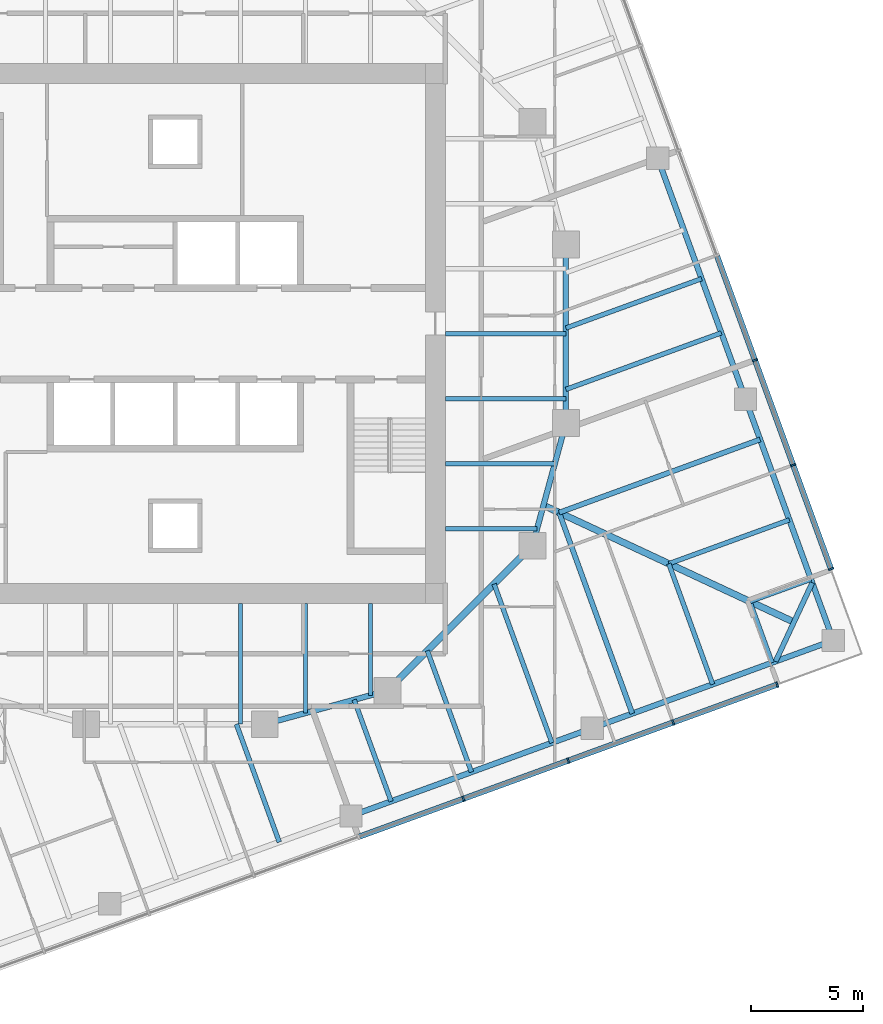
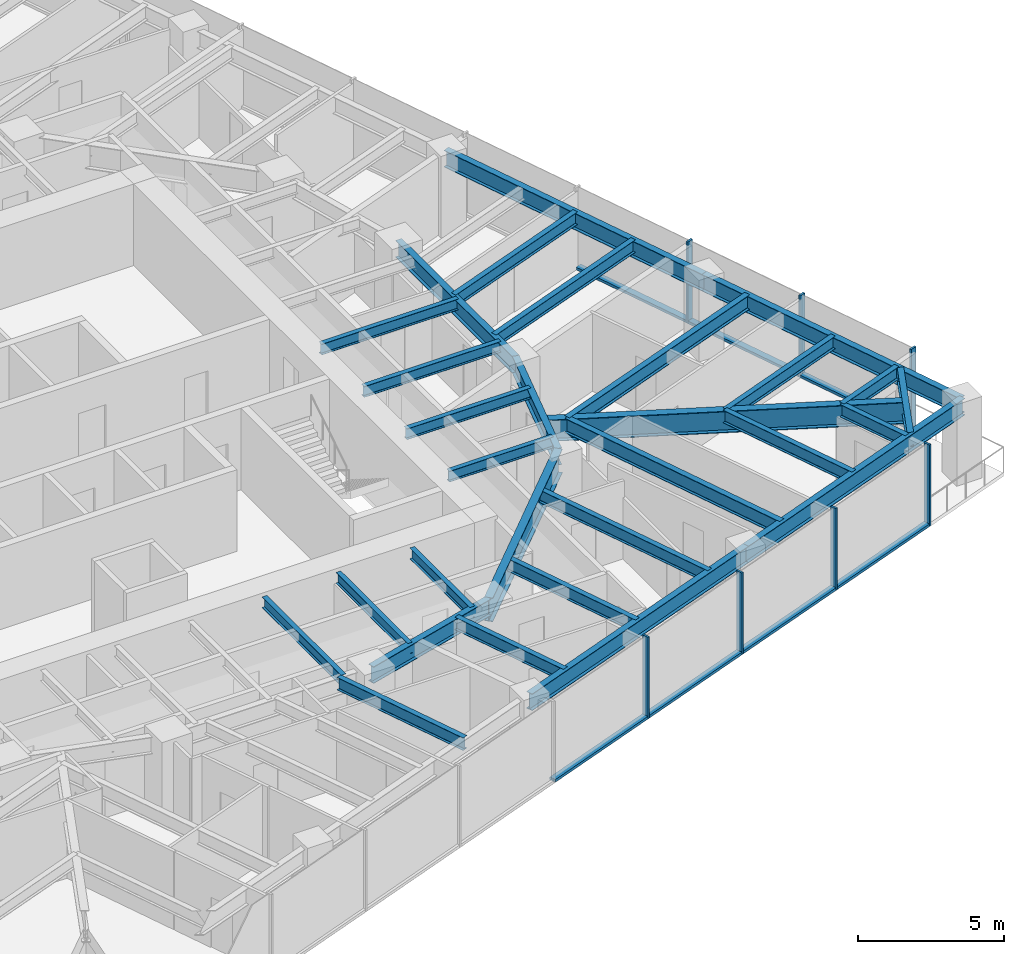
# One storey, part 3 of 13: 29 beams, 14 members, 2 elements without a shape of their own.
"""IFC4 building model written with IfcOpenShell, lengths in metres."""

from ifc_helpers import new_model, si_unit, direction, frame, origin, origin_2d, place, context, subcontext, project, spatial, rectangle, i_section, extrude, material, material_profile, profile_set, type_object, element, aggregate, save


model = new_model("IFC4")

# Units and contexts
model_context = context("Model", 3, precision=1e-05, world=origin(), true_north=direction((0.0, 1.0)))
body_context = subcontext(model_context, "Body", "Model", "MODEL_VIEW")
ifc_project = project(units=[si_unit("LENGTHUNIT", "METRE"), si_unit("AREAUNIT", "SQUARE_METRE"), si_unit("VOLUMEUNIT", "CUBIC_METRE"), si_unit("PLANEANGLEUNIT", "RADIAN"), si_unit("MASSUNIT", "GRAM", prefix="KILO")], contexts=[model_context])

# Site, building, storey
site_placement = place(None, origin())
site = spatial("IfcSite", under=ifc_project, at=site_placement, CompositionType="ELEMENT")
building_placement = place(site_placement, origin())
building = spatial("IfcBuilding", under=site, at=building_placement, Name="Torsade Residences", CompositionType="ELEMENT")
storey_placement = place(building_placement, frame((0.0, 0.0, 150.60009765625)))
storey = spatial("IfcBuildingStorey", under=building, at=storey_placement, Name="L41", CompositionType="ELEMENT", Elevation=150.60009765625)

# Beams
ifc_material_1 = material(Name="Steel grade 300", Category="steel")
ifc_material_profile_1 = material_profile(ifc_material_1, i_section(OverallWidth=0.300048828125, OverallDepth=0.89990234375, WebThickness=0.011962890625, FlangeThickness=0.02490234375, at=origin_2d()), Name="900WB175")
ifc_profile_set_1 = profile_set([ifc_material_profile_1], Name="Steel grade 300")
beam_type_1 = type_object("IfcBeamType", Name="CORNER GIRDER 900WB175", PredefinedType="BEAM", material=ifc_profile_set_1)
beam_1_placement = place(storey_placement, frame((67.717041015625, 17.075439453125, 2.7998046875), z_axis=(-0.906308509373, 0.422616712682, 0.0), x_axis=(-0.422616712682, -0.906308509373, 0.0)))
element("IfcBeam", 1, at=beam_1_placement, inside=storey, type_object=beam_type_1, Name="Corner girder 05 L42", PredefinedType="BEAM", context=body_context, shape_type="SweptSolid", body=[
    extrude(i_section(OverallWidth=0.300048828125, OverallDepth=0.89990234375, WebThickness=0.011962890625, FlangeThickness=0.02490234375, at=origin_2d()), origin(), (0.0, 0.0, 1.0), 12.3837890625),
])
ifc_material_2 = material(Name="Steel grade 300", Category="steel")
ifc_material_profile_2 = material_profile(ifc_material_2, i_section(OverallWidth=0.22802734375, OverallDepth=0.60205078125, WebThickness=0.010498046875, FlangeThickness=0.014892578125, FilletRadius=0.013916015625, at=origin_2d()), Name="610UB101")
ifc_profile_set_2 = profile_set([ifc_material_profile_2], Name="Steel grade 300")
beam_type_2 = type_object("IfcBeamType", Name="CORNER TRIMMER 610UB101", PredefinedType="BEAM", material=ifc_profile_set_2)
beam_2_placement = place(storey_placement, frame((68.538818359375, 18.837646484375, 2.948974609375), z_axis=(-0.422613947806, -0.906309798645, 0.0), x_axis=(0.906309798645, -0.422613947806, 0.0)))
element("IfcBeam", 2, at=beam_2_placement, inside=storey, type_object=beam_type_2, Name="Corner trimmer 05 L42", PredefinedType="BEAM", context=body_context, shape_type="SweptSolid", body=[
    extrude(i_section(OverallWidth=0.22802734375, OverallDepth=0.60205078125, WebThickness=0.010498046875, FlangeThickness=0.014892578125, FilletRadius=0.013916015625, at=origin_2d()), origin(), (0.0, 0.0, 1.0), 3.888916015625),
])
ifc_material_3 = material(Name="Steel grade 300", Category="steel")
ifc_material_profile_3 = material_profile(ifc_material_3, i_section(OverallWidth=0.25, OverallDepth=0.699951171875, WebThickness=0.010009765625, FlangeThickness=0.02001953125, at=origin_2d()), Name="700WB130")
ifc_profile_set_3 = profile_set([ifc_material_profile_3], Name="Steel grade 300")
beam_type_3 = type_object("IfcBeamType", Name="EDGE BEAM 700WB130", PredefinedType="SPANDREL", material=ifc_profile_set_3)
for number, where, z_axis, x_axis, name in (
    (3, (47.866455078125, 8.386962890625, 2.89990234375), (0.939688625666, 0.342031119628, 0.0), (-0.342031119628, 0.939688625666, 0.0), "Edge beam 03 L42"),
    (4, (58.6728515625, 12.3203125, 2.89990234375), (0.939697932031, 0.342005550448, 0.0), (-0.342005550448, 0.939697932031, 0.0), "Edge beam 04 L42"),
):
    element("IfcBeam", number, at=place(storey_placement, frame(where, z_axis=z_axis, x_axis=x_axis)), inside=storey, type_object=beam_type_3, Name=name, PredefinedType="SPANDREL", context=body_context, shape_type="SweptSolid", body=[
        extrude(i_section(OverallWidth=0.25, OverallDepth=0.699951171875, WebThickness=0.010009765625, FlangeThickness=0.02001953125, at=origin_2d()), origin(), (0.0, 0.0, 1.0), 11.5),
    ])
beam_3_placement = place(storey_placement, frame((69.4794921875, 16.25341796875, 2.89990234375), z_axis=(-0.342024296483, 0.93969110915, 0.0), x_axis=(-0.93969110915, -0.342024296483, 0.0)))
element("IfcBeam", 5, at=beam_3_placement, inside=storey, type_object=beam_type_3, Name="Edge beam 05 L42", PredefinedType="SPANDREL", context=body_context, shape_type="SweptSolid", body=[
    extrude(i_section(OverallWidth=0.25, OverallDepth=0.699951171875, WebThickness=0.010009765625, FlangeThickness=0.02001953125, at=origin_2d()), origin(), (0.0, 0.0, 1.0), 11.500244140625),
])
beam_4_placement = place(storey_placement, frame((65.546142578125, 27.06005859375, 2.89990234375), z_axis=(-0.342012373318, 0.939695448801, 0.0), x_axis=(-0.939695448801, -0.342012373318, 0.0)))
element("IfcBeam", 6, at=beam_4_placement, inside=storey, type_object=beam_type_3, Name="Edge beam 06 L42", PredefinedType="SPANDREL", context=body_context, shape_type="SweptSolid", body=[
    extrude(i_section(OverallWidth=0.25, OverallDepth=0.699951171875, WebThickness=0.010009765625, FlangeThickness=0.02001953125, at=origin_2d()), origin(), (0.0, 0.0, 1.0), 11.5),
])
ifc_material_4 = material(Name="Steel grade 300", Category="steel")
ifc_material_profile_4 = material_profile(ifc_material_4, i_section(OverallWidth=0.18994140625, OverallDepth=0.4541015625, WebThickness=0.008544921875, FlangeThickness=0.0126953125, FilletRadius=0.011474609375, at=origin_2d()), Name="460UB67.1")
ifc_profile_set_4 = profile_set([ifc_material_profile_4], Name="Steel grade 300")
beam_type_4 = type_object("IfcBeamType", Name="INNER FLOOR BEAM 460UB67.1", PredefinedType="JOIST", material=ifc_profile_set_4)
beam_5_placement = place(storey_placement, frame((48.737548828125, 17.89990234375, 3.02294921875), z_axis=(0.0, -1.0, 0.0), x_axis=(1.0, 0.0, 0.0)))
element("IfcBeam", 7, at=beam_5_placement, inside=storey, type_object=beam_type_4, Name="Inner floor beam IS01 L42", PredefinedType="JOIST", context=body_context, shape_type="SweptSolid", body=[
    extrude(i_section(OverallWidth=0.18994140625, OverallDepth=0.4541015625, WebThickness=0.008544921875, FlangeThickness=0.0126953125, FilletRadius=0.011474609375, at=origin_2d()), origin(), (0.0, 0.0, 1.0), 4.10791015625),
])
beam_6_placement = place(storey_placement, frame((45.824951171875, 17.89990234375, 3.02294921875), z_axis=(0.0, -1.0, 0.0), x_axis=(1.0, 0.0, 0.0)))
element("IfcBeam", 8, at=beam_6_placement, inside=storey, type_object=beam_type_4, Name="Inner floor beam IS02 L42", PredefinedType="JOIST", context=body_context, shape_type="SweptSolid", body=[
    extrude(i_section(OverallWidth=0.18994140625, OverallDepth=0.4541015625, WebThickness=0.008544921875, FlangeThickness=0.0126953125, FilletRadius=0.011474609375, at=origin_2d()), origin(), (0.0, 0.0, 1.0), 4.902099609375),
])
beam_7_placement = place(storey_placement, frame((42.91259765625, 17.89990234375, 3.02294921875), z_axis=(0.0, -1.0, 0.0), x_axis=(1.0, 0.0, 0.0)))
element("IfcBeam", 9, at=beam_7_placement, inside=storey, type_object=beam_type_4, Name="Inner floor beam IS03 L42", PredefinedType="JOIST", context=body_context, shape_type="SweptSolid", body=[
    extrude(i_section(OverallWidth=0.18994140625, OverallDepth=0.4541015625, WebThickness=0.008544921875, FlangeThickness=0.0126953125, FilletRadius=0.011474609375, at=origin_2d()), origin(), (0.0, 0.0, 1.0), 5.39990234375),
])
beam_8_placement = place(storey_placement, frame((52.10009765625, 21.262451171875, 3.02294921875), z_axis=(1.0, 0.0, 0.0), x_axis=(0.0, 1.0, 0.0)))
element("IfcBeam", 10, at=beam_8_placement, inside=storey, type_object=beam_type_4, Name="Inner floor beam IE01 L42", PredefinedType="JOIST", context=body_context, shape_type="SweptSolid", body=[
    extrude(i_section(OverallWidth=0.18994140625, OverallDepth=0.4541015625, WebThickness=0.008544921875, FlangeThickness=0.0126953125, FilletRadius=0.011474609375, at=origin_2d()), origin(), (0.0, 0.0, 1.0), 4.10791015625),
])
beam_9_placement = place(storey_placement, frame((52.10009765625, 24.175048828125, 3.02294921875), z_axis=(1.0, 0.0, 0.0), x_axis=(0.0, 1.0, 0.0)))
element("IfcBeam", 11, at=beam_9_placement, inside=storey, type_object=beam_type_4, Name="Inner floor beam IE02 L42", PredefinedType="JOIST", context=body_context, shape_type="SweptSolid", body=[
    extrude(i_section(OverallWidth=0.18994140625, OverallDepth=0.4541015625, WebThickness=0.008544921875, FlangeThickness=0.0126953125, FilletRadius=0.011474609375, at=origin_2d()), origin(), (0.0, 0.0, 1.0), 4.902099609375),
])
for number, where, z_axis, x_axis, name in (
    (12, (52.10009765625, 27.08740234375, 3.02294921875), (1.0, 0.0, 0.0), (0.0, 1.0, 0.0), "Inner floor beam IE03 L42"),
    (13, (52.10009765625, 30.0, 3.02294921875), (1.0, 0.0, 0.0), (0.0, 1.0, 0.0), "Inner floor beam IE04 L42"),
):
    element("IfcBeam", number, at=place(storey_placement, frame(where, z_axis=z_axis, x_axis=x_axis)), inside=storey, type_object=beam_type_4, Name=name, PredefinedType="JOIST", context=body_context, shape_type="SweptSolid", body=[
        extrude(i_section(OverallWidth=0.18994140625, OverallDepth=0.4541015625, WebThickness=0.008544921875, FlangeThickness=0.0126953125, FilletRadius=0.011474609375, at=origin_2d()), origin(), (0.0, 0.0, 1.0), 5.39990234375),
    ])

# Curtain wall, members
ifc_material_5 = material(Name="Aluminium and glass", Category="aluminium")
curtain_wall_type = type_object("IfcCurtainWallType", Name="FRITTED GLASS CURTAIN WALL MID ZONE", PredefinedType="NOTDEFINED", material=ifc_material_5)
curtain_wall_1_placement = place(storey_placement, origin())
curtain_wall_1 = element("IfcCurtainWall", 14, at=curtain_wall_1_placement, inside=storey, type_object=curtain_wall_type, Name="Curtain wall L41 face 1", PredefinedType="NOTDEFINED")
ifc_material_6 = material(Name="Aluminium mullion", Category="aluminium")
ifc_material_profile_5 = material_profile(ifc_material_6, rectangle(XDim=0.25, YDim=0.080078125, at=origin_2d()), Name="MID ZONE CURTAIN WALL MULLION 250x80")
ifc_profile_set_5 = profile_set([ifc_material_profile_5], Name="Aluminium mullion")
member_type_1 = type_object("IfcMemberType", Name="MID ZONE CURTAIN WALL MULLION 250x80", PredefinedType="MULLION", material=ifc_profile_set_5)
member_1_placement = place(storey_placement, frame((52.906982421875, 9.157470703125, 0.0), z_axis=(0.0, 0.0, 1.0), x_axis=(-0.342020147869, 0.939692619132, 0.0)))
member_1 = element("IfcMember", 15, at=member_1_placement, type_object=member_type_1, Name="Mullion 6", PredefinedType="MULLION", context=body_context, shape_type="SweptSolid", body=[
    extrude(rectangle(XDim=0.25, YDim=0.080078125, at=origin_2d()), origin(), (0.0, 0.0, 1.0), 3.39990234375),
])
member_2_placement = place(storey_placement, frame((57.60546875, 10.86767578125, 0.0), z_axis=(0.0, 0.0, 1.0), x_axis=(-0.342020147869, 0.939692619132, 0.0)))
member_2 = element("IfcMember", 16, at=member_2_placement, type_object=member_type_1, Name="Mullion 7", PredefinedType="MULLION", context=body_context, shape_type="SweptSolid", body=[
    extrude(rectangle(XDim=0.25, YDim=0.080078125, at=origin_2d()), origin(), (0.0, 0.0, 1.0), 3.39990234375),
])
member_3_placement = place(storey_placement, frame((62.303955078125, 12.57763671875, 0.0), z_axis=(0.0, 0.0, 1.0), x_axis=(-0.342020147869, 0.939692619132, 0.0)))
member_3 = element("IfcMember", 17, at=member_3_placement, type_object=member_type_1, Name="Mullion 8", PredefinedType="MULLION", context=body_context, shape_type="SweptSolid", body=[
    extrude(rectangle(XDim=0.25, YDim=0.080078125, at=origin_2d()), origin(), (0.0, 0.0, 1.0), 3.39990234375),
])
member_4_placement = place(storey_placement, frame((66.96484375, 14.274169921875, 0.0), z_axis=(0.0, 0.0, 1.0), x_axis=(-0.342020147869, 0.939692619132, 0.0)))
member_4 = element("IfcMember", 18, at=member_4_placement, type_object=member_type_1, Name="Mullion 9", PredefinedType="MULLION", context=body_context, shape_type="SweptSolid", body=[
    extrude(rectangle(XDim=0.25, YDim=0.080078125, at=origin_2d()), origin(), (0.0, 0.0, 1.0), 3.39990234375),
])

curtain_wall_2_placement = place(storey_placement, origin())
curtain_wall_2 = element("IfcCurtainWall", 19, at=curtain_wall_2_placement, inside=storey, type_object=curtain_wall_type, Name="Curtain wall L41 face 4", PredefinedType="NOTDEFINED")
member_5_placement = place(storey_placement, frame((69.37939453125, 19.4521484375, 0.0), z_axis=(0.0, 0.0, 1.0), x_axis=(-0.939692619132, -0.342020147869, 0.0)))
member_5 = element("IfcMember", 20, at=member_5_placement, type_object=member_type_1, Name="Mullion 1", PredefinedType="MULLION", context=body_context, shape_type="SweptSolid", body=[
    extrude(rectangle(XDim=0.25, YDim=0.080078125, at=origin_2d()), origin(), (0.0, 0.0, 1.0), 3.39990234375),
])
member_6_placement = place(storey_placement, frame((67.682861328125, 24.113037109375, 0.0), z_axis=(0.0, 0.0, 1.0), x_axis=(-0.939692619132, -0.342020147869, 0.0)))
member_6 = element("IfcMember", 21, at=member_6_placement, type_object=member_type_1, Name="Mullion 2", PredefinedType="MULLION", context=body_context, shape_type="SweptSolid", body=[
    extrude(rectangle(XDim=0.25, YDim=0.080078125, at=origin_2d()), origin(), (0.0, 0.0, 1.0), 3.39990234375),
])
member_7_placement = place(storey_placement, frame((65.972900390625, 28.8115234375, 0.0), z_axis=(0.0, 0.0, 1.0), x_axis=(-0.939692619132, -0.342020147869, 0.0)))
member_7 = element("IfcMember", 22, at=member_7_placement, type_object=member_type_1, Name="Mullion 3", PredefinedType="MULLION", context=body_context, shape_type="SweptSolid", body=[
    extrude(rectangle(XDim=0.25, YDim=0.080078125, at=origin_2d()), origin(), (0.0, 0.0, 1.0), 3.39990234375),
])

# Member
ifc_material_7 = material(Name="Aluminium transom", Category="aluminium")
ifc_material_profile_6 = material_profile(ifc_material_7, rectangle(XDim=0.25, YDim=0.110107421875, at=origin_2d()), Name="MID ZONE CURTAIN WALL TRANSOM 250x110")
ifc_profile_set_6 = profile_set([ifc_material_profile_6], Name="Aluminium transom")
member_type_2 = type_object("IfcMemberType", Name="MID ZONE CURTAIN WALL TRANSOM 250x110", PredefinedType="USERDEFINED", material=ifc_profile_set_6)
member_8_placement = place(storey_placement, frame((48.24609375, 7.4609375, 0.054931640625), z_axis=(0.93968471549, 0.342041862168, 0.0), x_axis=(-0.342041862168, 0.93968471549, 0.0)))
member_8 = element("IfcMember", 23, at=member_8_placement, type_object=member_type_2, Name="Transom 5.1", ObjectType="TRANSOM", PredefinedType="USERDEFINED", context=body_context, shape_type="SweptSolid", body=[
    extrude(rectangle(XDim=0.25, YDim=0.110107421875, at=origin_2d()), origin(), (0.0, 0.0, 1.0), 4.920166015625),
])

member_9_placement = place(storey_placement, frame((52.944580078125, 9.171142578125, 0.054931640625), z_axis=(0.93968471549, 0.342041862168, 0.0), x_axis=(-0.342041862168, 0.93968471549, 0.0)))
member_9 = element("IfcMember", 24, at=member_9_placement, type_object=member_type_2, Name="Transom 6.1", ObjectType="TRANSOM", PredefinedType="USERDEFINED", context=body_context, shape_type="SweptSolid", body=[
    extrude(rectangle(XDim=0.25, YDim=0.110107421875, at=origin_2d()), origin(), (0.0, 0.0, 1.0), 4.920166015625),
])

member_10_placement = place(storey_placement, frame((57.64306640625, 10.88134765625, 0.054931640625), z_axis=(0.9397006637, 0.341998044792, 0.0), x_axis=(-0.341998044792, 0.9397006637, 0.0)))
member_10 = element("IfcMember", 25, at=member_10_placement, type_object=member_type_2, Name="Transom 7.1", ObjectType="TRANSOM", PredefinedType="USERDEFINED", context=body_context, shape_type="SweptSolid", body=[
    extrude(rectangle(XDim=0.25, YDim=0.110107421875, at=origin_2d()), origin(), (0.0, 0.0, 1.0), 4.919921875),
])

member_11_placement = place(storey_placement, frame((62.341552734375, 12.59130859375, 0.054931640625), z_axis=(0.939683823915, 0.342044311564, 0.0), x_axis=(-0.342044311564, 0.939683823915, 0.0)))
member_11 = element("IfcMember", 26, at=member_11_placement, type_object=member_type_2, Name="Transom 8.1", ObjectType="TRANSOM", PredefinedType="USERDEFINED", context=body_context, shape_type="SweptSolid", body=[
    extrude(rectangle(XDim=0.25, YDim=0.110107421875, at=origin_2d()), origin(), (0.0, 0.0, 1.0), 4.880126953125),
])

aggregate(curtain_wall_1, [member_1, member_2, member_3, member_4, member_8, member_9, member_10, member_11])

member_12_placement = place(storey_placement, frame((69.36572265625, 19.48974609375, 0.054931640625), z_axis=(-0.342044311564, 0.939683823915, 0.0), x_axis=(-0.939683823915, -0.342044311564, 0.0)))
member_12 = element("IfcMember", 27, at=member_12_placement, type_object=member_type_2, Name="Transom 1.1", ObjectType="TRANSOM", PredefinedType="USERDEFINED", context=body_context, shape_type="SweptSolid", body=[
    extrude(rectangle(XDim=0.25, YDim=0.110107421875, at=origin_2d()), origin(), (0.0, 0.0, 1.0), 4.880126953125),
])

member_13_placement = place(storey_placement, frame((67.669189453125, 24.150634765625, 0.054931640625), z_axis=(-0.341998044792, 0.9397006637, 0.0), x_axis=(-0.9397006637, -0.341998044792, 0.0)))
member_13 = element("IfcMember", 28, at=member_13_placement, type_object=member_type_2, Name="Transom 2.1", ObjectType="TRANSOM", PredefinedType="USERDEFINED", context=body_context, shape_type="SweptSolid", body=[
    extrude(rectangle(XDim=0.25, YDim=0.110107421875, at=origin_2d()), origin(), (0.0, 0.0, 1.0), 4.919921875),
])

member_14_placement = place(storey_placement, frame((65.959228515625, 28.84912109375, 0.054931640625), z_axis=(-0.342041862168, 0.93968471549, 0.0), x_axis=(-0.93968471549, -0.342041862168, 0.0)))
member_14 = element("IfcMember", 29, at=member_14_placement, type_object=member_type_2, Name="Transom 3.1", ObjectType="TRANSOM", PredefinedType="USERDEFINED", context=body_context, shape_type="SweptSolid", body=[
    extrude(rectangle(XDim=0.25, YDim=0.110107421875, at=origin_2d()), origin(), (0.0, 0.0, 1.0), 4.920166015625),
])

aggregate(curtain_wall_2, [member_5, member_6, member_7, member_12, member_13, member_14])

# Beams
ifc_material_8 = material(Name="Steel grade 300", Category="steel")
ifc_material_profile_7 = material_profile(ifc_material_8, i_section(OverallWidth=0.300048828125, OverallDepth=1.0, WebThickness=0.01611328125, FlangeThickness=0.028076171875, at=origin_2d()), Name="1000WB215")
ifc_profile_set_7 = profile_set([ifc_material_profile_7], Name="Steel grade 300")
beam_type_5 = type_object("IfcBeamType", Name="RING CORNER GIRDER 1000WB215", PredefinedType="BEAM", material=ifc_profile_set_7)
beam_10_placement = place(storey_placement, frame((49.5, 14.0, 2.75), z_axis=(0.707106781187, 0.707106781187, 0.0), x_axis=(-0.707106781187, 0.707106781187, 0.0)))
element("IfcBeam", 30, at=beam_10_placement, inside=storey, type_object=beam_type_5, Name="Ring girder IR15 L42", PredefinedType="BEAM", context=body_context, shape_type="SweptSolid", body=[
    extrude(i_section(OverallWidth=0.300048828125, OverallDepth=1.0, WebThickness=0.01611328125, FlangeThickness=0.028076171875, at=origin_2d()), origin(), (0.0, 0.0, 1.0), 9.1923828125),
])
ifc_material_9 = material(Name="Steel grade 300", Category="steel")
ifc_material_profile_8 = material_profile(ifc_material_9, i_section(OverallWidth=0.25, OverallDepth=0.699951171875, WebThickness=0.010009765625, FlangeThickness=0.02001953125, at=origin_2d()), Name="700WB130")
ifc_profile_set_8 = profile_set([ifc_material_profile_8], Name="Steel grade 300")
beam_type_6 = type_object("IfcBeamType", Name="RING GIRDER 700WB130", PredefinedType="BEAM", material=ifc_profile_set_8)
beam_11_placement = place(storey_placement, frame((57.5, 26.0, 2.89990234375), z_axis=(0.0, 1.0, 0.0), x_axis=(-1.0, 0.0, 0.0)))
element("IfcBeam", 31, at=beam_11_placement, inside=storey, type_object=beam_type_6, Name="Ring girder IR01 L42", PredefinedType="BEAM", context=body_context, shape_type="SweptSolid", body=[
    extrude(i_section(OverallWidth=0.25, OverallDepth=0.699951171875, WebThickness=0.010009765625, FlangeThickness=0.02001953125, at=origin_2d()), origin(), (0.0, 0.0, 1.0), 8.0),
])
for number, where, z_axis, x_axis, name in (
    (32, (44.0, 12.5, 2.89990234375), (0.964763821238, 0.263117405792, 0.0), (-0.263117405792, 0.964763821238, 0.0), "Ring girder IR14 L42"),
    (33, (56.0, 20.5, 2.89990234375), (0.263117405792, 0.964763821238, 0.0), (-0.964763821238, 0.263117405792, 0.0), "Ring girder IR16 L42"),
):
    element("IfcBeam", number, at=place(storey_placement, frame(where, z_axis=z_axis, x_axis=x_axis)), inside=storey, type_object=beam_type_6, Name=name, PredefinedType="BEAM", context=body_context, shape_type="SweptSolid", body=[
        extrude(i_section(OverallWidth=0.25, OverallDepth=0.699951171875, WebThickness=0.010009765625, FlangeThickness=0.02001953125, at=origin_2d()), origin(), (0.0, 0.0, 1.0), 5.700927734375),
    ])
ifc_material_10 = material(Name="Steel grade 300", Category="steel")
ifc_material_profile_9 = material_profile(ifc_material_10, i_section(OverallWidth=0.208984375, OverallDepth=0.528076171875, WebThickness=0.009521484375, FlangeThickness=0.01318359375, FilletRadius=0.013916015625, at=origin_2d()), Name="530UB82.0")
ifc_profile_set_9 = profile_set([ifc_material_profile_9], Name="Steel grade 300")
beam_type_7 = type_object("IfcBeamType", Name="SECONDARY BEAM 530UB82.0", PredefinedType="JOIST", material=ifc_profile_set_9)
beam_12_placement = place(storey_placement, frame((44.65576171875, 7.218505859375, 2.98583984375), z_axis=(-0.341990681925, 0.939703343336, 0.0), x_axis=(-0.939703343336, -0.341990681925, 0.0)))
element("IfcBeam", 34, at=beam_12_placement, inside=storey, type_object=beam_type_7, Name="Floor beam FS06 L42", PredefinedType="JOIST", context=body_context, shape_type="SweptSolid", body=[
    extrude(i_section(OverallWidth=0.208984375, OverallDepth=0.528076171875, WebThickness=0.009521484375, FlangeThickness=0.01318359375, FilletRadius=0.013916015625, at=origin_2d()), origin(), (0.0, 0.0, 1.0), 5.620361328125),
])
beam_13_placement = place(storey_placement, frame((49.66748046875, 9.042724609375, 2.98583984375), z_axis=(-0.342014218604, 0.939694777187, 0.0), x_axis=(-0.939694777187, -0.342014218604, 0.0)))
element("IfcBeam", 35, at=beam_13_placement, inside=storey, type_object=beam_type_7, Name="Floor beam FS07 L42", PredefinedType="JOIST", context=body_context, shape_type="SweptSolid", body=[
    extrude(i_section(OverallWidth=0.208984375, OverallDepth=0.528076171875, WebThickness=0.009521484375, FlangeThickness=0.01318359375, FilletRadius=0.013916015625, at=origin_2d()), origin(), (0.0, 0.0, 1.0), 4.84326171875),
])
beam_14_placement = place(storey_placement, frame((53.269775390625, 10.353759765625, 2.98583984375), z_axis=(-0.342034409239, 0.939687428295, 0.0), x_axis=(-0.939687428295, -0.342034409239, 0.0)))
element("IfcBeam", 36, at=beam_14_placement, inside=storey, type_object=beam_type_7, Name="Floor beam FS08 L42", PredefinedType="JOIST", context=body_context, shape_type="SweptSolid", body=[
    extrude(i_section(OverallWidth=0.208984375, OverallDepth=0.528076171875, WebThickness=0.009521484375, FlangeThickness=0.01318359375, FilletRadius=0.013916015625, at=origin_2d()), origin(), (0.0, 0.0, 1.0), 5.785888671875),
])
beam_15_placement = place(storey_placement, frame((56.871826171875, 11.664794921875, 2.98583984375), z_axis=(-0.342027762686, 0.939689847531, 0.0), x_axis=(-0.939689847531, -0.342027762686, 0.0)))
element("IfcBeam", 37, at=beam_15_placement, inside=storey, type_object=beam_type_7, Name="Floor beam FS09 L42", PredefinedType="JOIST", context=body_context, shape_type="SweptSolid", body=[
    extrude(i_section(OverallWidth=0.208984375, OverallDepth=0.528076171875, WebThickness=0.009521484375, FlangeThickness=0.01318359375, FilletRadius=0.013916015625, at=origin_2d()), origin(), (0.0, 0.0, 1.0), 7.573486328125),
])
beam_16_placement = place(storey_placement, frame((64.076171875, 14.286865234375, 2.98583984375), z_axis=(-0.342005550448, 0.939697932031, 0.0), x_axis=(-0.939697932031, -0.342005550448, 0.0)))
element("IfcBeam", 38, at=beam_16_placement, inside=storey, type_object=beam_type_7, Name="Floor beam FS11 L42", PredefinedType="JOIST", context=body_context, shape_type="SweptSolid", body=[
    extrude(i_section(OverallWidth=0.208984375, OverallDepth=0.528076171875, WebThickness=0.009521484375, FlangeThickness=0.01318359375, FilletRadius=0.013916015625, at=origin_2d()), origin(), (0.0, 0.0, 1.0), 5.75),
])
for number, where, z_axis, x_axis, name in (
    (39, (66.738525390625, 15.255859375, 2.98583984375), (-0.341998427281, 0.939700524495, 0.0), (-0.939700524495, -0.341998427281, 0.0), "Floor beam FS12 L42"),
    (40, (68.48193359375, 18.994384765625, 2.98583984375), (-0.939700524495, -0.341998427281, 0.0), (0.341998427281, -0.939700524495, 0.0), "Floor beam FE01 L42"),
):
    element("IfcBeam", number, at=place(storey_placement, frame(where, z_axis=z_axis, x_axis=x_axis)), inside=storey, type_object=beam_type_7, Name=name, PredefinedType="JOIST", context=body_context, shape_type="SweptSolid", body=[
        extrude(i_section(OverallWidth=0.208984375, OverallDepth=0.528076171875, WebThickness=0.009521484375, FlangeThickness=0.01318359375, FilletRadius=0.013916015625, at=origin_2d()), origin(), (0.0, 0.0, 1.0), 2.916748046875),
    ])
beam_17_placement = place(storey_placement, frame((67.5126953125, 21.65673828125, 2.98583984375), z_axis=(-0.939692965423, -0.342019196443, 0.0), x_axis=(0.342019196443, -0.939692965423, 0.0)))
element("IfcBeam", 41, at=beam_17_placement, inside=storey, type_object=beam_type_7, Name="Floor beam FE02 L42", PredefinedType="JOIST", context=body_context, shape_type="SweptSolid", body=[
    extrude(i_section(OverallWidth=0.208984375, OverallDepth=0.528076171875, WebThickness=0.009521484375, FlangeThickness=0.01318359375, FilletRadius=0.013916015625, at=origin_2d()), origin(), (0.0, 0.0, 1.0), 5.749755859375),
])
beam_18_placement = place(storey_placement, frame((64.463134765625, 30.03564453125, 2.98583984375), z_axis=(-0.939690450554, -0.342026105929, 0.0), x_axis=(0.342026105929, -0.939690450554, 0.0)))
element("IfcBeam", 42, at=beam_18_placement, inside=storey, type_object=beam_type_7, Name="Floor beam FE04 L42", PredefinedType="JOIST", context=body_context, shape_type="SweptSolid", body=[
    extrude(i_section(OverallWidth=0.208984375, OverallDepth=0.528076171875, WebThickness=0.009521484375, FlangeThickness=0.01318359375, FilletRadius=0.013916015625, at=origin_2d()), origin(), (0.0, 0.0, 1.0), 7.409912109375),
])
beam_19_placement = place(storey_placement, frame((63.57958984375, 32.463134765625, 2.98583984375), z_axis=(-0.939699737026, -0.342000590983, 0.0), x_axis=(0.342000590983, -0.939699737026, 0.0)))
element("IfcBeam", 43, at=beam_19_placement, inside=storey, type_object=beam_type_7, Name="Floor beam FE05 L42", PredefinedType="JOIST", context=body_context, shape_type="SweptSolid", body=[
    extrude(i_section(OverallWidth=0.208984375, OverallDepth=0.528076171875, WebThickness=0.009521484375, FlangeThickness=0.01318359375, FilletRadius=0.013916015625, at=origin_2d()), origin(), (0.0, 0.0, 1.0), 6.4697265625),
])
ifc_material_11 = material(Name="Steel grade 300", Category="steel")
ifc_material_profile_10 = material_profile(ifc_material_11, i_section(OverallWidth=0.22900390625, OverallDepth=0.612060546875, WebThickness=0.011962890625, FlangeThickness=0.01953125, FilletRadius=0.013916015625, at=origin_2d()), Name="610UB125")
ifc_profile_set_10 = profile_set([ifc_material_profile_10], Name="Steel grade 300")
beam_type_8 = type_object("IfcBeamType", Name="SECONDARY BEAM 610UB125", PredefinedType="JOIST", material=ifc_profile_set_10)
for number, where, z_axis, x_axis, name in (
    (44, (60.47412109375, 12.975830078125, 2.94384765625), (-0.342033504181, 0.939687757725, 0.0), (-0.939687757725, -0.342033504181, 0.0), "Floor beam FS10 L42"),
    (45, (66.20166015625, 25.259033203125, 2.94384765625), (-0.939687757725, -0.342033504181, 0.0), (0.342033504181, -0.939687757725, 0.0), "Floor beam FE03 L42"),
):
    element("IfcBeam", number, at=place(storey_placement, frame(where, z_axis=z_axis, x_axis=x_axis)), inside=storey, type_object=beam_type_8, Name=name, PredefinedType="JOIST", context=body_context, shape_type="SweptSolid", body=[
        extrude(i_section(OverallWidth=0.22900390625, OverallDepth=0.612060546875, WebThickness=0.011962890625, FlangeThickness=0.01953125, FilletRadius=0.013916015625, at=origin_2d()), origin(), (0.0, 0.0, 1.0), 9.583251953125),
    ])

save(model, "model.ifc")
